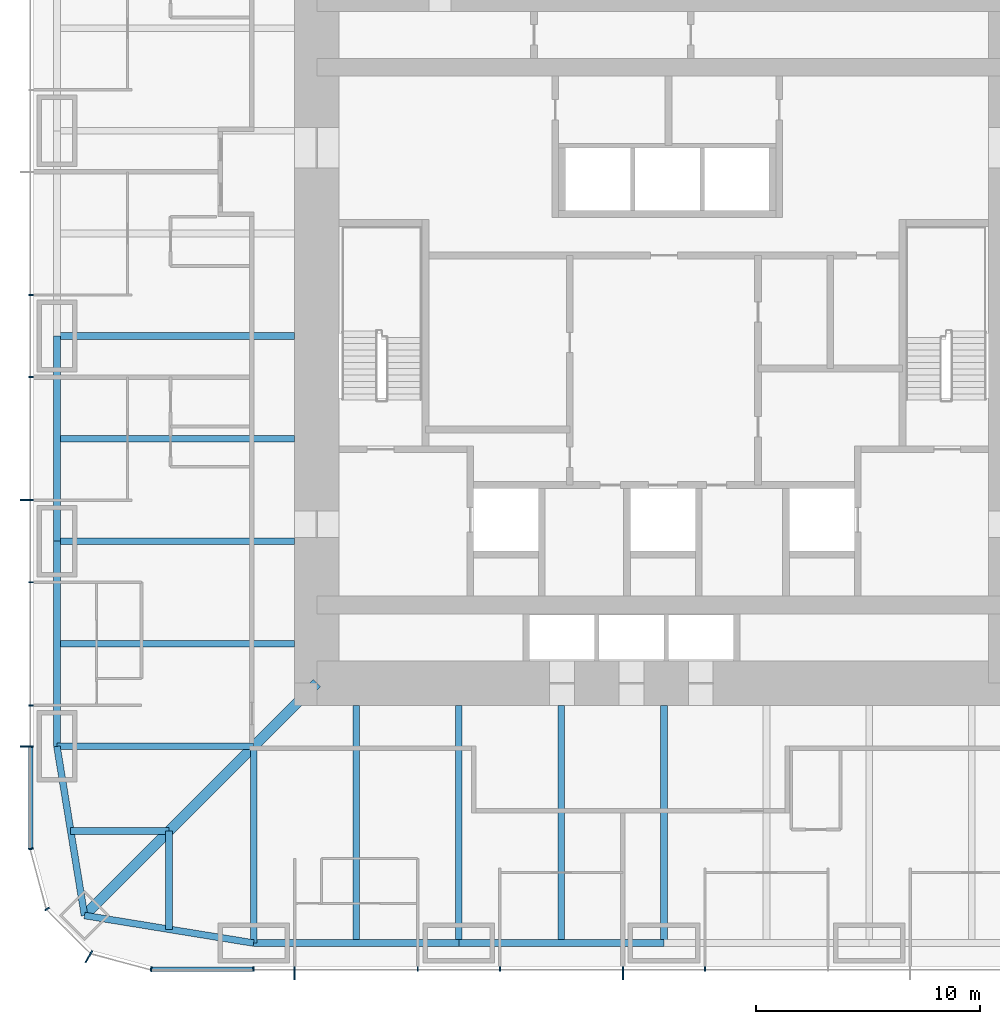
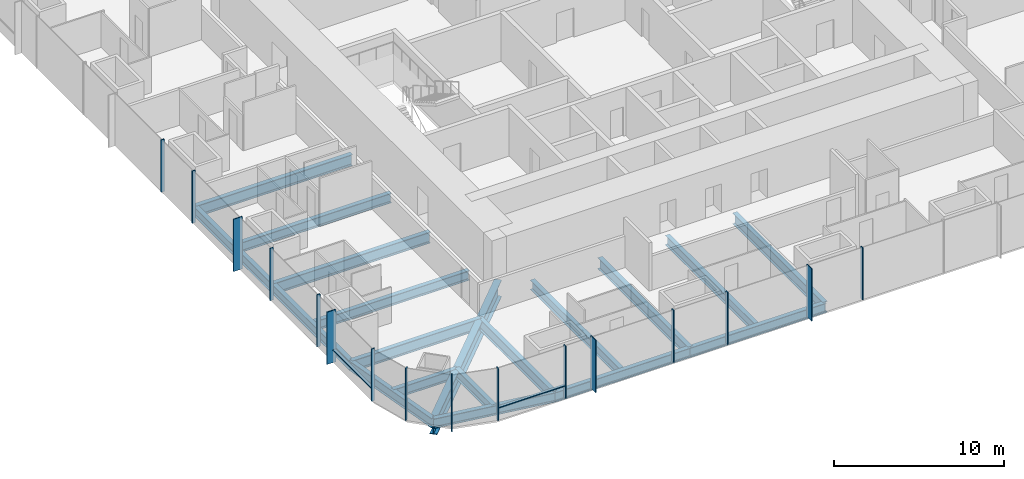
# One storey, part 2 of 12: 19 beams, 18 members, 3 elements without a shape of their own.
"""IFC4 building model written with IfcOpenShell, lengths in metres."""

from ifc_helpers import new_model, si_unit, direction, frame, origin, origin_2d, place, context, subcontext, project, spatial, rectangle, i_section, extrude, material, material_profile, profile_set, type_object, element, aggregate, save


model = new_model("IFC4")

# Units and contexts
model_context = context("Model", 3, precision=1e-05, world=origin(), true_north=direction((0.0, 1.0)))
body_context = subcontext(model_context, "Body", "Model", "MODEL_VIEW")
ifc_project = project(units=[si_unit("LENGTHUNIT", "METRE"), si_unit("AREAUNIT", "SQUARE_METRE"), si_unit("VOLUMEUNIT", "CUBIC_METRE"), si_unit("PLANEANGLEUNIT", "RADIAN"), si_unit("MASSUNIT", "GRAM", prefix="KILO")], contexts=[model_context])

# Site, building, storey
site_placement = place(None, origin())
site = spatial("IfcSite", under=ifc_project, at=site_placement, CompositionType="ELEMENT")
building_placement = place(site_placement, origin())
building = spatial("IfcBuilding", under=site, at=building_placement, Name="Khuree Lantern Residences", CompositionType="ELEMENT")
storey_placement = place(building_placement, frame((0.0, 0.0, 182.25)))
storey = spatial("IfcBuildingStorey", under=building, at=storey_placement, Name="L46", CompositionType="ELEMENT", Elevation=182.25)

# Beams
ifc_material_1 = material(Name="Steel S355", Category="steel")
ifc_material_profile_1 = material_profile(ifc_material_1, i_section(OverallWidth=0.300048828125, OverallDepth=0.68994140625, WebThickness=0.014404296875, FlangeThickness=0.027099609375, FilletRadius=0.027099609375, at=origin_2d()), Name="HE 700 A")
ifc_profile_set_1 = profile_set([ifc_material_profile_1], Name="Steel S355")
beam_type_1 = type_object("IfcBeamType", Name="B-25A SECONDARY BEAM HE 700 A", PredefinedType="BEAM", material=ifc_profile_set_1)
for number, where, z_axis, x_axis, name in (
    (1, (-4.580078125, -27.10009765625, -0.594970703125), (0.0, 1.0, 0.0), (-1.0, 0.0, 0.0), "Secondary beam S4"),
    (2, (-13.739990234375, -27.10009765625, -0.594970703125), (0.0, 1.0, 0.0), (-1.0, 0.0, 0.0), "Secondary beam S5"),
):
    element("IfcBeam", number, at=place(storey_placement, frame(where, z_axis=z_axis, x_axis=x_axis)), inside=storey, type_object=beam_type_1, Name=name, PredefinedType="BEAM", context=body_context, shape_type="SweptSolid", body=[
        extrude(i_section(OverallWidth=0.300048828125, OverallDepth=0.68994140625, WebThickness=0.014404296875, FlangeThickness=0.027099609375, FilletRadius=0.027099609375, at=origin_2d()), origin(), (0.0, 0.0, 1.0), 10.60009765625),
    ])
for number, where, z_axis, x_axis, name in (
    (3, (-22.094970703125, -26.48486328125, -0.594970703125), (0.0, 1.0, 0.0), (-1.0, 0.0, 0.0), "Secondary beam S6"),
    (4, (-26.48486328125, -22.094970703125, -0.594970703125), (1.0, 0.0, 0.0), (0.0, 1.0, 0.0), "Secondary beam W1"),
):
    element("IfcBeam", number, at=place(storey_placement, frame(where, z_axis=z_axis, x_axis=x_axis)), inside=storey, type_object=beam_type_1, Name=name, PredefinedType="BEAM", context=body_context, shape_type="SweptSolid", body=[
        extrude(i_section(OverallWidth=0.300048828125, OverallDepth=0.68994140625, WebThickness=0.014404296875, FlangeThickness=0.027099609375, FilletRadius=0.027099609375, at=origin_2d()), origin(), (0.0, 0.0, 1.0), 4.389892578125),
    ])
for number, where, z_axis, x_axis, name in (
    (5, (-27.10009765625, -13.739990234375, -0.594970703125), (1.0, 0.0, 0.0), (0.0, 1.0, 0.0), "Secondary beam W2"),
    (6, (-27.10009765625, -4.580078125, -0.594970703125), (1.0, 0.0, 0.0), (0.0, 1.0, 0.0), "Secondary beam W3"),
):
    element("IfcBeam", number, at=place(storey_placement, frame(where, z_axis=z_axis, x_axis=x_axis)), inside=storey, type_object=beam_type_1, Name=name, PredefinedType="BEAM", context=body_context, shape_type="SweptSolid", body=[
        extrude(i_section(OverallWidth=0.300048828125, OverallDepth=0.68994140625, WebThickness=0.014404296875, FlangeThickness=0.027099609375, FilletRadius=0.027099609375, at=origin_2d()), origin(), (0.0, 0.0, 1.0), 10.60009765625),
    ])
ifc_material_profile_2 = material_profile(ifc_material_1, i_section(OverallWidth=0.300048828125, OverallDepth=0.68994140625, WebThickness=0.014404296875, FlangeThickness=0.027099609375, FilletRadius=0.027099609375, at=origin_2d()), Name="HE 700 A")
ifc_profile_set_2 = profile_set([ifc_material_profile_2], Name="Steel S355")
beam_type_2 = type_object("IfcBeamType", Name="E-25 SPANDREL BEAM HE 700 A", PredefinedType="SPANDREL", material=ifc_profile_set_2)
beam_1_placement = place(storey_placement, frame((0.0, -27.10009765625, -0.594970703125), z_axis=(-1.0, 0.0, 0.0), x_axis=(0.0, -1.0, 0.0)))
element("IfcBeam", 7, at=beam_1_placement, inside=storey, type_object=beam_type_2, Name="Spandrel beam S4", PredefinedType="SPANDREL", context=body_context, shape_type="SweptSolid", body=[
    extrude(i_section(OverallWidth=0.300048828125, OverallDepth=0.68994140625, WebThickness=0.014404296875, FlangeThickness=0.027099609375, FilletRadius=0.027099609375, at=origin_2d()), origin(), (0.0, 0.0, 1.0), 9.159912109375),
])
beam_2_placement = place(storey_placement, frame((-9.159912109375, -27.10009765625, -0.594970703125), z_axis=(-1.0, 0.0, 0.0), x_axis=(0.0, -1.0, 0.0)))
element("IfcBeam", 8, at=beam_2_placement, inside=storey, type_object=beam_type_2, Name="Spandrel beam S5", PredefinedType="SPANDREL", context=body_context, shape_type="SweptSolid", body=[
    extrude(i_section(OverallWidth=0.300048828125, OverallDepth=0.68994140625, WebThickness=0.014404296875, FlangeThickness=0.027099609375, FilletRadius=0.027099609375, at=origin_2d()), origin(), (0.0, 0.0, 1.0), 9.16015625),
])
for number, where, z_axis, x_axis, name in (
    (9, (-18.320068359375, -27.10009765625, -0.594970703125), (-0.986982656839, 0.160826723833, 0.0), (-0.160826723833, -0.986982656839, 0.0), "Spandrel beam S6"),
    (10, (-25.869873046875, -25.869873046875, -0.594970703125), (-0.160826723833, 0.986982656839, 0.0), (-0.986982656839, -0.160826723833, 0.0), "Spandrel beam W1"),
):
    element("IfcBeam", number, at=place(storey_placement, frame(where, z_axis=z_axis, x_axis=x_axis)), inside=storey, type_object=beam_type_2, Name=name, PredefinedType="SPANDREL", context=body_context, shape_type="SweptSolid", body=[
        extrude(i_section(OverallWidth=0.300048828125, OverallDepth=0.68994140625, WebThickness=0.014404296875, FlangeThickness=0.027099609375, FilletRadius=0.027099609375, at=origin_2d()), origin(), (0.0, 0.0, 1.0), 7.6494140625),
    ])
beam_3_placement = place(storey_placement, frame((-27.10009765625, -18.320068359375, -0.594970703125), z_axis=(0.0, 1.0, 0.0), x_axis=(-1.0, 0.0, 0.0)))
element("IfcBeam", 11, at=beam_3_placement, inside=storey, type_object=beam_type_2, Name="Spandrel beam W2", PredefinedType="SPANDREL", context=body_context, shape_type="SweptSolid", body=[
    extrude(i_section(OverallWidth=0.300048828125, OverallDepth=0.68994140625, WebThickness=0.014404296875, FlangeThickness=0.027099609375, FilletRadius=0.027099609375, at=origin_2d()), origin(), (0.0, 0.0, 1.0), 9.16015625),
])
beam_4_placement = place(storey_placement, frame((-27.10009765625, -9.159912109375, -0.594970703125), z_axis=(0.0, 1.0, 0.0), x_axis=(-1.0, 0.0, 0.0)))
element("IfcBeam", 12, at=beam_4_placement, inside=storey, type_object=beam_type_2, Name="Spandrel beam W3", PredefinedType="SPANDREL", context=body_context, shape_type="SweptSolid", body=[
    extrude(i_section(OverallWidth=0.300048828125, OverallDepth=0.68994140625, WebThickness=0.014404296875, FlangeThickness=0.027099609375, FilletRadius=0.027099609375, at=origin_2d()), origin(), (0.0, 0.0, 1.0), 9.159912109375),
])

# Curtain wall, members
ifc_material_2 = material(Name="Bronze anodised aluminium", Category="aluminium")
curtain_wall_type_1 = type_object("IfcCurtainWallType", Name="CW-T1 TOWER FACE CURTAIN WALL", PredefinedType="USERDEFINED", material=ifc_material_2)
curtain_wall_1_placement = place(storey_placement, origin())
curtain_wall_1 = element("IfcCurtainWall", 13, at=curtain_wall_1_placement, inside=storey, type_object=curtain_wall_type_1, Name="L46 WEST FACE CURTAIN WALL", ObjectType="Stick-built curtain wall", PredefinedType="USERDEFINED")
ifc_material_profile_3 = material_profile(ifc_material_2, rectangle(XDim=0.06494140625, YDim=0.60009765625, at=origin_2d()), Name="F1 65X600")
ifc_profile_set_3 = profile_set([ifc_material_profile_3], Name="Bronze anodised aluminium")
member_type_1 = type_object("IfcMemberType", Name="F1 BRONZE FIN MULLION TOWER 65X600", PredefinedType="MULLION", material=ifc_profile_set_3)
member_1_placement = place(storey_placement, frame((-28.449951171875, -7.327880859375, 0.0), z_axis=(0.0, 0.0, 1.0), x_axis=(0.0, -1.0, 0.0)))
member_1 = element("IfcMember", 14, at=member_1_placement, type_object=member_type_1, Name="L46 WEST FACE FIN MULLION 39", PredefinedType="MULLION", context=body_context, shape_type="SweptSolid", body=[
    extrude(rectangle(XDim=0.06494140625, YDim=0.60009765625, at=origin_2d()), origin(), (0.0, 0.0, 1.0), 3.75),
])
member_2_placement = place(storey_placement, frame((-28.449951171875, -18.320068359375, 0.0), z_axis=(0.0, 0.0, 1.0), x_axis=(0.0, -1.0, 0.0)))
member_2 = element("IfcMember", 15, at=member_2_placement, type_object=member_type_1, Name="L46 WEST FACE FIN MULLION 42", PredefinedType="MULLION", context=body_context, shape_type="SweptSolid", body=[
    extrude(rectangle(XDim=0.06494140625, YDim=0.60009765625, at=origin_2d()), origin(), (0.0, 0.0, 1.0), 3.75),
])

# Curtain wall, member
curtain_wall_type_2 = type_object("IfcCurtainWallType", Name="CW-T2 TOWER CORNER CURTAIN WALL", PredefinedType="USERDEFINED", material=ifc_material_2)
curtain_wall_2_placement = place(storey_placement, origin())
curtain_wall_2 = element("IfcCurtainWall", 16, at=curtain_wall_2_placement, inside=storey, type_object=curtain_wall_type_2, Name="L46 SOUTH-WEST CORNER CURTAIN WALL", ObjectType="Faceted corner curtain wall", PredefinedType="USERDEFINED")
member_3_placement = place(storey_placement, frame((-25.675048828125, -27.70654296875, 0.0), z_axis=(0.0, 0.0, 1.0), x_axis=(0.866025388199, -0.500000026995, 0.0)))
member_3 = element("IfcMember", 17, at=member_3_placement, type_object=member_type_1, Name="L46 SOUTH-WEST CORNER FIN MULLION 45", PredefinedType="MULLION", context=body_context, shape_type="SweptSolid", body=[
    extrude(rectangle(XDim=0.06494140625, YDim=0.60009765625, at=origin_2d()), origin(), (0.0, 0.0, 1.0), 3.75),
])

# Curtain wall, members
curtain_wall_3_placement = place(storey_placement, origin())
curtain_wall_3 = element("IfcCurtainWall", 18, at=curtain_wall_3_placement, inside=storey, type_object=curtain_wall_type_1, Name="L46 SOUTH FACE CURTAIN WALL", ObjectType="Stick-built curtain wall", PredefinedType="USERDEFINED")
member_4_placement = place(storey_placement, frame((-16.488037109375, -28.449951171875, 0.0), z_axis=(0.0, 0.0, 1.0), x_axis=(1.0, 0.0, 0.0)))
member_4 = element("IfcMember", 19, at=member_4_placement, type_object=member_type_1, Name="L46 SOUTH FACE FIN MULLION 48", PredefinedType="MULLION", context=body_context, shape_type="SweptSolid", body=[
    extrude(rectangle(XDim=0.06494140625, YDim=0.60009765625, at=origin_2d()), origin(), (0.0, 0.0, 1.0), 3.75),
])
member_5_placement = place(storey_placement, frame((-1.83203125, -28.449951171875, 0.0), z_axis=(0.0, 0.0, 1.0), x_axis=(1.0, 0.0, 0.0)))
member_5 = element("IfcMember", 20, at=member_5_placement, type_object=member_type_1, Name="L46 SOUTH FACE FIN MULLION 51", PredefinedType="MULLION", context=body_context, shape_type="SweptSolid", body=[
    extrude(rectangle(XDim=0.06494140625, YDim=0.60009765625, at=origin_2d()), origin(), (0.0, 0.0, 1.0), 3.75),
])

# Beams
ifc_material_profile_4 = material_profile(ifc_material_1, i_section(OverallWidth=0.300048828125, OverallDepth=0.800048828125, WebThickness=0.017578125, FlangeThickness=0.032958984375, FilletRadius=0.030029296875, at=origin_2d()), Name="HE 800 B")
ifc_profile_set_4 = profile_set([ifc_material_profile_4], Name="Steel S355")
beam_type_3 = type_object("IfcBeamType", Name="G-25A GIRDER HE 800 B", PredefinedType="BEAM", material=ifc_profile_set_4)
for number, where, z_axis, x_axis, name in (
    (21, (0.0, -27.10009765625, -0.64990234375), (0.0, 1.0, 0.0), (-1.0, 0.0, 0.0), "Girder S3"),
    (22, (-9.159912109375, -27.10009765625, -0.64990234375), (0.0, 1.0, 0.0), (-1.0, 0.0, 0.0), "Girder S4"),
):
    element("IfcBeam", number, at=place(storey_placement, frame(where, z_axis=z_axis, x_axis=x_axis)), inside=storey, type_object=beam_type_3, Name=name, PredefinedType="BEAM", context=body_context, shape_type="SweptSolid", body=[
        extrude(i_section(OverallWidth=0.300048828125, OverallDepth=0.800048828125, WebThickness=0.017578125, FlangeThickness=0.032958984375, FilletRadius=0.030029296875, at=origin_2d()), origin(), (0.0, 0.0, 1.0), 10.60009765625),
    ])
for number, where, z_axis, x_axis, name in (
    (23, (-18.320068359375, -27.10009765625, -0.64990234375), (0.0, 1.0, 0.0), (-1.0, 0.0, 0.0), "Girder S5"),
    (24, (-27.10009765625, -18.320068359375, -0.64990234375), (1.0, 0.0, 0.0), (0.0, 1.0, 0.0), "Girder W1"),
):
    element("IfcBeam", number, at=place(storey_placement, frame(where, z_axis=z_axis, x_axis=x_axis)), inside=storey, type_object=beam_type_3, Name=name, PredefinedType="BEAM", context=body_context, shape_type="SweptSolid", body=[
        extrude(i_section(OverallWidth=0.300048828125, OverallDepth=0.800048828125, WebThickness=0.017578125, FlangeThickness=0.032958984375, FilletRadius=0.030029296875, at=origin_2d()), origin(), (0.0, 0.0, 1.0), 8.780029296875),
    ])
for number, where, z_axis, x_axis, name in (
    (25, (-27.10009765625, -9.159912109375, -0.64990234375), (1.0, 0.0, 0.0), (0.0, 1.0, 0.0), "Girder W2"),
    (26, (-27.10009765625, 0.0, -0.64990234375), (1.0, 0.0, 0.0), (0.0, 1.0, 0.0), "Girder W3"),
):
    element("IfcBeam", number, at=place(storey_placement, frame(where, z_axis=z_axis, x_axis=x_axis)), inside=storey, type_object=beam_type_3, Name=name, PredefinedType="BEAM", context=body_context, shape_type="SweptSolid", body=[
        extrude(i_section(OverallWidth=0.300048828125, OverallDepth=0.800048828125, WebThickness=0.017578125, FlangeThickness=0.032958984375, FilletRadius=0.030029296875, at=origin_2d()), origin(), (0.0, 0.0, 1.0), 10.60009765625),
    ])
ifc_material_profile_5 = material_profile(ifc_material_1, i_section(OverallWidth=0.449951171875, OverallDepth=1.199951171875, WebThickness=0.02490234375, FlangeThickness=0.044921875, at=origin_2d()), Name="WELDED I 1200X450X25X45")
ifc_profile_set_5 = profile_set([ifc_material_profile_5], Name="Steel S355")
beam_type_4 = type_object("IfcBeamType", Name="GD-25 CORNER GIRDER WELDED I 1200X450X25X45", PredefinedType="BEAM", material=ifc_profile_set_5)
beam_5_placement = place(storey_placement, frame((-25.869873046875, -25.869873046875, -0.85009765625), z_axis=(0.707106781187, 0.707106781187, 0.0), x_axis=(-0.707106781187, 0.707106781187, 0.0)))
element("IfcBeam", 27, at=beam_5_placement, inside=storey, type_object=beam_type_4, Name="Corner girder SW", PredefinedType="BEAM", context=body_context, shape_type="SweptSolid", body=[
    extrude(i_section(OverallWidth=0.449951171875, OverallDepth=1.199951171875, WebThickness=0.02490234375, FlangeThickness=0.044921875, at=origin_2d()), origin(), (0.0, 0.0, 1.0), 14.665283203125),
])

# Member
ifc_material_profile_6 = material_profile(ifc_material_2, rectangle(XDim=0.06494140625, YDim=0.219970703125, at=origin_2d()), Name="M1 65X220")
ifc_profile_set_6 = profile_set([ifc_material_profile_6], Name="Bronze anodised aluminium")
member_type_2 = type_object("IfcMemberType", Name="M1 BRONZE MULLION TOWER 65X220", PredefinedType="MULLION", material=ifc_profile_set_6)
member_6_placement = place(storey_placement, frame((-28.260009765625, 1.83203125, 0.0), z_axis=(0.0, 0.0, 1.0), x_axis=(0.0, -1.0, 0.0)))
member_6 = element("IfcMember", 28, at=member_6_placement, type_object=member_type_2, Name="L46 WEST FACE MULLION 37", PredefinedType="MULLION", context=body_context, shape_type="SweptSolid", body=[
    extrude(rectangle(XDim=0.06494140625, YDim=0.219970703125, at=origin_2d()), origin(), (0.0, 0.0, 1.0), 3.75),
])

member_7_placement = place(storey_placement, frame((-28.260009765625, -1.83203125, 0.0), z_axis=(0.0, 0.0, 1.0), x_axis=(0.0, -1.0, 0.0)))
member_7 = element("IfcMember", 29, at=member_7_placement, type_object=member_type_2, Name="L46 WEST FACE MULLION 38", PredefinedType="MULLION", context=body_context, shape_type="SweptSolid", body=[
    extrude(rectangle(XDim=0.06494140625, YDim=0.219970703125, at=origin_2d()), origin(), (0.0, 0.0, 1.0), 3.75),
])

member_8_placement = place(storey_placement, frame((-28.260009765625, -10.991943359375, 0.0), z_axis=(0.0, 0.0, 1.0), x_axis=(0.0, -1.0, 0.0)))
member_8 = element("IfcMember", 30, at=member_8_placement, type_object=member_type_2, Name="L46 WEST FACE MULLION 40", PredefinedType="MULLION", context=body_context, shape_type="SweptSolid", body=[
    extrude(rectangle(XDim=0.06494140625, YDim=0.219970703125, at=origin_2d()), origin(), (0.0, 0.0, 1.0), 3.75),
])

member_9_placement = place(storey_placement, frame((-28.260009765625, -16.488037109375, 0.0), z_axis=(0.0, 0.0, 1.0), x_axis=(0.0, -1.0, 0.0)))
member_9 = element("IfcMember", 31, at=member_9_placement, type_object=member_type_2, Name="L46 WEST FACE MULLION 41", PredefinedType="MULLION", context=body_context, shape_type="SweptSolid", body=[
    extrude(rectangle(XDim=0.06494140625, YDim=0.219970703125, at=origin_2d()), origin(), (0.0, 0.0, 1.0), 3.75),
])

member_10_placement = place(storey_placement, frame((-28.26171875, -22.89501953125, 0.0), z_axis=(0.0, 0.0, 1.0), x_axis=(0.130526223125, -0.991444857305, 0.0)))
member_10 = element("IfcMember", 32, at=member_10_placement, type_object=member_type_2, Name="L46 SOUTH-WEST CORNER MULLION 43", PredefinedType="MULLION", context=body_context, shape_type="SweptSolid", body=[
    extrude(rectangle(XDim=0.06494140625, YDim=0.219970703125, at=origin_2d()), origin(), (0.0, 0.0, 1.0), 3.75),
])

member_11_placement = place(storey_placement, frame((-27.5419921875, -25.580078125, 0.0), z_axis=(0.0, 0.0, 1.0), x_axis=(0.500000026995, -0.866025388199, 0.0)))
member_11 = element("IfcMember", 33, at=member_11_placement, type_object=member_type_2, Name="L46 SOUTH-WEST CORNER MULLION 44", PredefinedType="MULLION", context=body_context, shape_type="SweptSolid", body=[
    extrude(rectangle(XDim=0.06494140625, YDim=0.219970703125, at=origin_2d()), origin(), (0.0, 0.0, 1.0), 3.75),
])

aggregate(curtain_wall_2, [member_10, member_11, member_3])

member_12_placement = place(storey_placement, frame((-22.89501953125, -28.26171875, 0.0), z_axis=(0.0, 0.0, 1.0), x_axis=(0.991444857305, -0.130526223125, 0.0)))
member_12 = element("IfcMember", 34, at=member_12_placement, type_object=member_type_2, Name="L46 SOUTH FACE MULLION 46", PredefinedType="MULLION", context=body_context, shape_type="SweptSolid", body=[
    extrude(rectangle(XDim=0.06494140625, YDim=0.219970703125, at=origin_2d()), origin(), (0.0, 0.0, 1.0), 3.75),
])

member_13_placement = place(storey_placement, frame((-18.320068359375, -28.260009765625, 0.0), z_axis=(0.0, 0.0, 1.0), x_axis=(1.0, 0.0, 0.0)))
member_13 = element("IfcMember", 35, at=member_13_placement, type_object=member_type_2, Name="L46 SOUTH FACE MULLION 47", PredefinedType="MULLION", context=body_context, shape_type="SweptSolid", body=[
    extrude(rectangle(XDim=0.06494140625, YDim=0.219970703125, at=origin_2d()), origin(), (0.0, 0.0, 1.0), 3.75),
])

member_14_placement = place(storey_placement, frame((-10.991943359375, -28.260009765625, 0.0), z_axis=(0.0, 0.0, 1.0), x_axis=(1.0, 0.0, 0.0)))
member_14 = element("IfcMember", 36, at=member_14_placement, type_object=member_type_2, Name="L46 SOUTH FACE MULLION 49", PredefinedType="MULLION", context=body_context, shape_type="SweptSolid", body=[
    extrude(rectangle(XDim=0.06494140625, YDim=0.219970703125, at=origin_2d()), origin(), (0.0, 0.0, 1.0), 3.75),
])

member_15_placement = place(storey_placement, frame((-7.327880859375, -28.260009765625, 0.0), z_axis=(0.0, 0.0, 1.0), x_axis=(1.0, 0.0, 0.0)))
member_15 = element("IfcMember", 37, at=member_15_placement, type_object=member_type_2, Name="L46 SOUTH FACE MULLION 50", PredefinedType="MULLION", context=body_context, shape_type="SweptSolid", body=[
    extrude(rectangle(XDim=0.06494140625, YDim=0.219970703125, at=origin_2d()), origin(), (0.0, 0.0, 1.0), 3.75),
])

member_16_placement = place(storey_placement, frame((1.83203125, -28.260009765625, 0.0), z_axis=(0.0, 0.0, 1.0), x_axis=(1.0, 0.0, 0.0)))
member_16 = element("IfcMember", 38, at=member_16_placement, type_object=member_type_2, Name="L46 SOUTH FACE MULLION 52", PredefinedType="MULLION", context=body_context, shape_type="SweptSolid", body=[
    extrude(rectangle(XDim=0.06494140625, YDim=0.219970703125, at=origin_2d()), origin(), (0.0, 0.0, 1.0), 3.75),
])

ifc_material_profile_7 = material_profile(ifc_material_2, rectangle(XDim=0.179931640625, YDim=0.06494140625, at=origin_2d()), Name="T1 180X65")
ifc_profile_set_7 = profile_set([ifc_material_profile_7], Name="Bronze anodised aluminium")
member_type_3 = type_object("IfcMemberType", Name="TRANSOM T1 TOWER 180X65", PredefinedType="USERDEFINED", material=ifc_profile_set_7)
member_17_placement = place(storey_placement, frame((-28.27001953125, -18.3525390625, 0.89990234375), z_axis=(0.0, -1.0, 0.0), x_axis=(1.0, 0.0, 0.0)))
member_17 = element("IfcMember", 39, at=member_17_placement, type_object=member_type_3, Name="L46 WEST FACE TRANSOM 42.1", ObjectType="Transom", PredefinedType="USERDEFINED", context=body_context, shape_type="SweptSolid", body=[
    extrude(rectangle(XDim=0.179931640625, YDim=0.06494140625, at=origin_2d()), origin(), (0.0, 0.0, 1.0), 4.498779296875),
])

aggregate(curtain_wall_1, [member_6, member_7, member_1, member_8, member_9, member_2, member_17])

member_18_placement = place(storey_placement, frame((-22.851318359375, -28.27001953125, 0.89990234375), z_axis=(1.0, 0.0, 0.0), x_axis=(0.0, 1.0, 0.0)))
member_18 = element("IfcMember", 40, at=member_18_placement, type_object=member_type_3, Name="L46 SOUTH FACE TRANSOM 46.1", ObjectType="Transom", PredefinedType="USERDEFINED", context=body_context, shape_type="SweptSolid", body=[
    extrude(rectangle(XDim=0.179931640625, YDim=0.06494140625, at=origin_2d()), origin(), (0.0, 0.0, 1.0), 4.498779296875),
])

aggregate(curtain_wall_3, [member_12, member_13, member_4, member_14, member_15, member_5, member_16, member_18])

save(model, "model.ifc")
